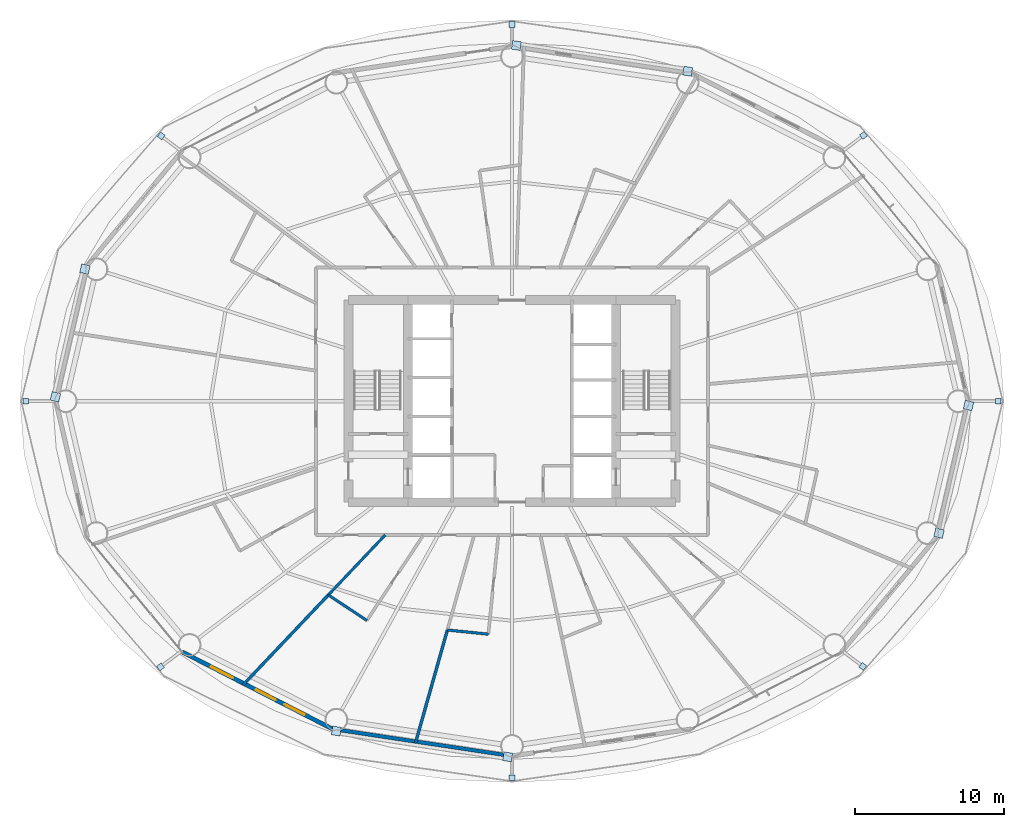
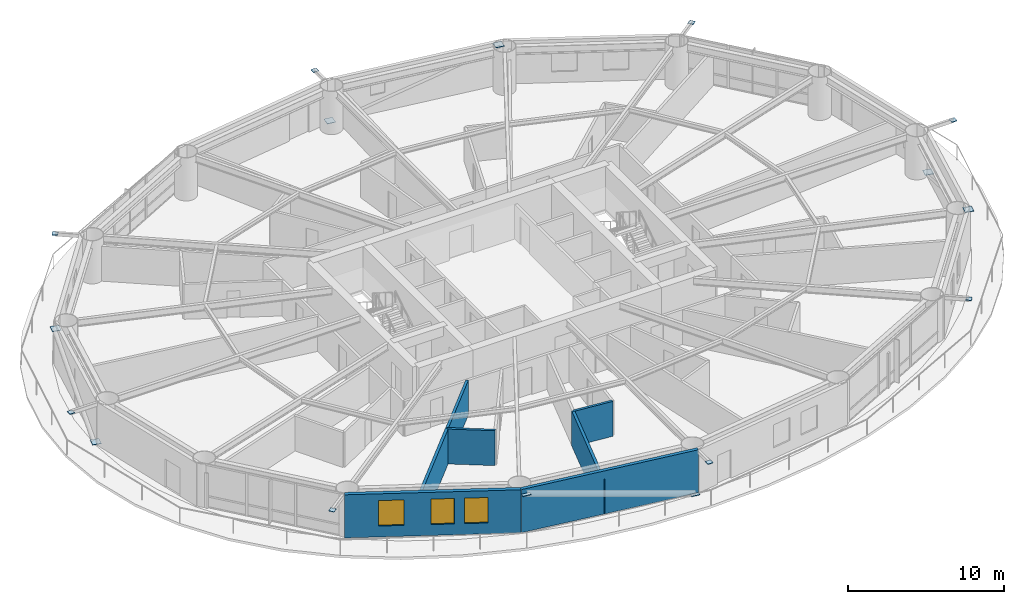
# One storey, part 19 of 26: 16 plates, 7 walls, 3 windows, 3 openings.
"""IFC4 building model written with IfcOpenShell, lengths in metres."""

from ifc_helpers import new_model, si_unit, direction, frame, frame_2d, origin, origin_2d, place, context, subcontext, project, spatial, rectangle, extrude, material, layer, layer_set, type_object, element, fill, save


model = new_model("IFC4")

# Units and contexts
model_context = context("Model", 3, precision=1e-05, world=origin(), true_north=direction((0.0, 1.0)))
body_context = subcontext(model_context, "Body", "Model", "MODEL_VIEW")
ifc_project = project(units=[si_unit("LENGTHUNIT", "METRE"), si_unit("AREAUNIT", "SQUARE_METRE"), si_unit("VOLUMEUNIT", "CUBIC_METRE"), si_unit("PLANEANGLEUNIT", "RADIAN"), si_unit("MASSUNIT", "GRAM", prefix="KILO")], contexts=[model_context])

# Site, building, storey
site_placement = place(None, origin())
site = spatial("IfcSite", under=ifc_project, at=site_placement, CompositionType="ELEMENT")
building_placement = place(site_placement, origin())
building = spatial("IfcBuilding", under=site, at=building_placement, Name="Sarneth Arch Tower", CompositionType="ELEMENT")
storey_placement = place(building_placement, frame((0.0, 0.0, 35.39990234375)))
storey = spatial("IfcBuildingStorey", under=building, at=storey_placement, Name="L07", CompositionType="ELEMENT", Elevation=35.39990234375)

# Plates
ifc_material_1 = material(Name="Steel S355", Category="steel")
ifc_layer_1 = layer(ifc_material_1, 0.035888671875)
ifc_layer_set_1 = layer_set([ifc_layer_1], Name="Steel S355")
plate_type = type_object("IfcPlateType", Name="PLT-GUSSET-30", PredefinedType="SHEET", material=ifc_layer_set_1)
for number, where, z_axis, x_axis, name in (
    (1, (80.7333984375, 42.0, 3.2021484375), (0.0, 0.0, 1.0), (1.0, 0.0, 0.0), "Steel end cap plate GP-1"),
    (2, (71.65380859375, 59.884765625, 3.2021484375), (0.0, 0.0, 1.0), (0.797689196331, 0.603068773902, 0.0), "Steel end cap plate GP-1"),
):
    element("IfcPlate", number, at=place(storey_placement, frame(where, z_axis=z_axis, x_axis=x_axis)), inside=storey, type_object=plate_type, Name=name, PredefinedType="SHEET", context=body_context, shape_type="SweptSolid", body=[
        extrude(rectangle(XDim=0.3798828125, YDim=0.3798828125, at=origin_2d()), origin(), (0.0, 0.0, 1.0), 0.035888671875),
    ])
for number, where, z_axis, x_axis, name in (
    (3, (48.296630859375, 65.935302734375, 0.001953125), (0.0, 0.0, 1.0), (-0.98883454203, 0.149017611339, 0.0), "Steel end cap plate GP-1"),
    (4, (59.819580078125, 64.19921875, 2.98876953125), (0.0, 0.0, 1.0), (-0.98883454203, 0.149017611339, 0.0), "Steel end cap plate GP-1"),
):
    element("IfcPlate", number, at=place(storey_placement, frame(where, z_axis=z_axis, x_axis=x_axis)), inside=storey, type_object=plate_type, Name=name, PredefinedType="SHEET", context=body_context, shape_type="SweptSolid", body=[
        extrude(rectangle(XDim=0.587890625, YDim=0.587890625, at=origin_2d()), origin(), (0.0, 0.0, 1.0), 0.035888671875),
    ])
for number, where, z_axis, x_axis, name in (
    (5, (48.0, 67.3515625, 3.2021484375), (0.0, 0.0, 1.0), (0.0, 1.0, 0.0), "Steel end cap plate GP-1"),
    (6, (24.391845703125, 59.85009765625, 3.2021484375), (0.0, 0.0, 1.0), (-0.797689196331, 0.603068773902, 0.0), "Steel end cap plate GP-1"),
):
    element("IfcPlate", number, at=place(storey_placement, frame(where, z_axis=z_axis, x_axis=x_axis)), inside=storey, type_object=plate_type, Name=name, PredefinedType="SHEET", context=body_context, shape_type="SweptSolid", body=[
        extrude(rectangle(XDim=0.3798828125, YDim=0.3798828125, at=origin_2d()), origin(), (0.0, 0.0, 1.0), 0.035888671875),
    ])
for number, where, z_axis, x_axis, name in (
    (7, (17.274658203125, 42.292236328125, 0.001953125), (0.0, 0.0, 1.0), (-0.225291159947, -0.974291482694, 0.0), "Steel end cap plate GP-1"),
    (8, (19.260986328125, 50.884521484375, 2.98876953125), (0.0, 0.0, 1.0), (-0.225291159947, -0.974291482694, 0.0), "Steel end cap plate GP-1"),
):
    element("IfcPlate", number, at=place(storey_placement, frame(where, z_axis=z_axis, x_axis=x_axis)), inside=storey, type_object=plate_type, Name=name, PredefinedType="SHEET", context=body_context, shape_type="SweptSolid", body=[
        extrude(rectangle(XDim=0.587890625, YDim=0.587890625, at=origin_2d()), origin(), (0.0, 0.0, 1.0), 0.035888671875),
    ])
for number, where, z_axis, x_axis, name in (
    (9, (15.2666015625, 42.0, 3.2021484375), (0.0, 0.0, 1.0), (-1.0, 0.0, 0.0), "Steel end cap plate GP-1"),
    (10, (24.34619140625, 24.115234375, 3.2021484375), (0.0, 0.0, 1.0), (-0.797689196331, -0.603068773902, 0.0), "Steel end cap plate GP-1"),
):
    element("IfcPlate", number, at=place(storey_placement, frame(where, z_axis=z_axis, x_axis=x_axis)), inside=storey, type_object=plate_type, Name=name, PredefinedType="SHEET", context=body_context, shape_type="SweptSolid", body=[
        extrude(rectangle(XDim=0.3798828125, YDim=0.3798828125, at=origin_2d()), origin(), (0.0, 0.0, 1.0), 0.035888671875),
    ])
for number, where, z_axis, x_axis, name in (
    (11, (47.703369140625, 18.064697265625, 0.001953125), (0.0, 0.0, 1.0), (0.98883454203, -0.149017611339, 0.0), "Steel end cap plate GP-1"),
    (12, (36.180419921875, 19.80078125, 2.98876953125), (0.0, 0.0, 1.0), (0.98883454203, -0.149017611339, 0.0), "Steel end cap plate GP-1"),
):
    element("IfcPlate", number, at=place(storey_placement, frame(where, z_axis=z_axis, x_axis=x_axis)), inside=storey, type_object=plate_type, Name=name, PredefinedType="SHEET", context=body_context, shape_type="SweptSolid", body=[
        extrude(rectangle(XDim=0.587890625, YDim=0.587890625, at=origin_2d()), origin(), (0.0, 0.0, 1.0), 0.035888671875),
    ])
for number, where, z_axis, x_axis, name in (
    (13, (48.0, 16.6484375, 3.2021484375), (0.0, 0.0, 1.0), (0.0, -1.0, 0.0), "Steel end cap plate GP-1"),
    (14, (71.608154296875, 24.14990234375, 3.2021484375), (0.0, 0.0, 1.0), (0.797689196331, -0.603068773902, 0.0), "Steel end cap plate GP-1"),
):
    element("IfcPlate", number, at=place(storey_placement, frame(where, z_axis=z_axis, x_axis=x_axis)), inside=storey, type_object=plate_type, Name=name, PredefinedType="SHEET", context=body_context, shape_type="SweptSolid", body=[
        extrude(rectangle(XDim=0.3798828125, YDim=0.3798828125, at=origin_2d()), origin(), (0.0, 0.0, 1.0), 0.035888671875),
    ])
for number, where, z_axis, x_axis, name in (
    (15, (78.725341796875, 41.707763671875, 0.001953125), (0.0, 0.0, 1.0), (0.225291159947, 0.974291482694, 0.0), "Steel end cap plate GP-1"),
    (16, (76.739013671875, 33.115478515625, 2.98876953125), (0.0, 0.0, 1.0), (0.225291159947, 0.974291482694, 0.0), "Steel end cap plate GP-1"),
):
    element("IfcPlate", number, at=place(storey_placement, frame(where, z_axis=z_axis, x_axis=x_axis)), inside=storey, type_object=plate_type, Name=name, PredefinedType="SHEET", context=body_context, shape_type="SweptSolid", body=[
        extrude(rectangle(XDim=0.587890625, YDim=0.587890625, at=origin_2d()), origin(), (0.0, 0.0, 1.0), 0.035888671875),
    ])

# Wall
ifc_material_2 = material(Name="Extruded terracotta rainscreen on Concrete C40/50 backing", Category="masonry")
ifc_layer_2 = layer(ifc_material_2, 0.25)
ifc_layer_set_2 = layer_set([ifc_layer_2], Name="Extruded terracotta rainscreen on Concrete C40/50 backing")
wall_type_1 = type_object("IfcWallType", Name="WALL-EXT-SPAND-250", PredefinedType="SOLIDWALL", material=ifc_layer_set_2)
wall_1_placement = place(storey_placement, frame((35.922119140625, 19.937744140625, 0.0), z_axis=(0.0, 0.0, 1.0), x_axis=(0.988864835849, -0.148816452121, 0.0)))
element("IfcWall", 17, at=wall_1_placement, inside=storey, type_object=wall_type_1, Name="L07 Terracotta perimeter wall 12", PredefinedType="SOLIDWALL", context=body_context, shape_type="SweptSolid", body=[
    extrude(rectangle(XDim=12.2138671875, YDim=0.25, at=frame_2d((6.10693359375, 0.0))), origin(), (0.0, 0.0, 1.0), 3.380126953125),
])

# Wall, openings, windows
ifc_material_3 = material(Name="Extruded terracotta rainscreen on Concrete C40/50 backing", Category="masonry")
ifc_layer_3 = layer(ifc_material_3, 0.280029296875)
ifc_layer_set_3 = layer_set([ifc_layer_3], Name="Extruded terracotta rainscreen on Concrete C40/50 backing")
wall_type_2 = type_object("IfcWallType", Name="WALL-EXT-TERRA-280", PredefinedType="SOLIDWALL", material=ifc_layer_set_3)
wall_2_placement = place(storey_placement, frame((25.825927734375, 25.1142578125, 0.0), z_axis=(0.0, 0.0, 1.0), x_axis=(0.889853976658, -0.456245438581, 0.0)))
wall_2 = element("IfcWall", 18, at=wall_2_placement, inside=storey, type_object=wall_type_2, Name="L07 Terracotta perimeter wall 11", PredefinedType="SOLIDWALL", context=body_context, shape_type="SweptSolid", body=[
    extrude(rectangle(XDim=11.345947265625, YDim=0.280029296875, at=frame_2d((5.6728515625, 0.0))), origin(), (0.0, 0.0, 1.0), 3.380126953125),
])
opening_1_placement = place(wall_2_placement, frame((2.169921875, 0.0, 0.85009765625)))
opening_1 = element("IfcOpeningElement", 19, at=opening_1_placement, cuts=wall_2, Name="Opening W-05", PredefinedType="OPENING", context=body_context, shape_type="SweptSolid", body=[
    extrude(rectangle(XDim=1.64990234375, YDim=2.0, at=frame_2d((0.824951171875, 1.0))), frame((0.0, 0.14990234375, 0.0), z_axis=(0.0, -1.0, 0.0), x_axis=(1.0, 0.0, 0.0)), (0.0, 0.0, 1.0), 0.300048828125),
])
opening_2_placement = place(wall_2_placement, frame((5.552978515625, 0.0, 0.85009765625)))
opening_2 = element("IfcOpeningElement", 20, at=opening_2_placement, cuts=wall_2, Name="Opening W-06", PredefinedType="OPENING", context=body_context, shape_type="SweptSolid", body=[
    extrude(rectangle(XDim=1.5, YDim=2.0, at=frame_2d((0.75, 1.0))), frame((0.0, 0.14990234375, 0.0), z_axis=(0.0, -1.0, 0.0), x_axis=(1.0, 0.0, 0.0)), (0.0, 0.0, 1.0), 0.300048828125),
])
opening_3_placement = place(wall_2_placement, frame((7.7216796875, 0.0, 0.85009765625)))
opening_3 = element("IfcOpeningElement", 21, at=opening_3_placement, cuts=wall_2, Name="Opening W-06", PredefinedType="OPENING", context=body_context, shape_type="SweptSolid", body=[
    extrude(rectangle(XDim=1.5, YDim=2.0, at=frame_2d((0.75, 1.0))), frame((0.0, 0.14990234375, 0.0), z_axis=(0.0, -1.0, 0.0), x_axis=(1.0, 0.0, 0.0)), (0.0, 0.0, 1.0), 0.300048828125),
])
ifc_material_4 = material(Name="Thermally broken Aluminium 6063-T6 and low-e laminated IGU", Category="aluminium")
window_type_1 = type_object("IfcWindowType", Name="WIN-TWR-1500x2000", PartitioningType="SINGLE_PANEL", PredefinedType="WINDOW", material=ifc_material_4)
window_1_placement = place(opening_2_placement, origin())
window_1 = element("IfcWindow", 22, at=window_1_placement, inside=storey, type_object=window_type_1, Name="L07 Exterior window 11B", OverallHeight=2.0, OverallWidth=1.5, PartitioningType="SINGLE_PANEL", PredefinedType="WINDOW", context=body_context, shape_type="SweptSolid", body=[
    extrude(rectangle(XDim=1.5, YDim=2.0, at=frame_2d((0.75, 1.0))), frame((0.0, 0.030029296875, 0.0), z_axis=(0.0, -1.0, 0.0), x_axis=(1.0, 0.0, 0.0)), (0.0, 0.0, 1.0), 0.06005859375),
])
fill(opening_2, window_1)
window_2_placement = place(opening_3_placement, origin())
window_2 = element("IfcWindow", 23, at=window_2_placement, inside=storey, type_object=window_type_1, Name="L07 Exterior window 11C", OverallHeight=2.0, OverallWidth=1.5, PartitioningType="SINGLE_PANEL", PredefinedType="WINDOW", context=body_context, shape_type="SweptSolid", body=[
    extrude(rectangle(XDim=1.5, YDim=2.0, at=frame_2d((0.75, 1.0))), frame((0.0, 0.030029296875, 0.0), z_axis=(0.0, -1.0, 0.0), x_axis=(1.0, 0.0, 0.0)), (0.0, 0.0, 1.0), 0.06005859375),
])
fill(opening_3, window_2)
ifc_material_5 = material(Name="Thermally broken Aluminium 6063-T6 and low-e laminated IGU", Category="aluminium")
window_type_2 = type_object("IfcWindowType", Name="WIN-TWR-1650x2000", PartitioningType="DOUBLE_PANEL_VERTICAL", PredefinedType="WINDOW", material=ifc_material_5)
window_3_placement = place(opening_1_placement, origin())
window_3 = element("IfcWindow", 24, at=window_3_placement, inside=storey, type_object=window_type_2, Name="L07 Exterior window 11A", OverallHeight=2.0, OverallWidth=1.64990234375, PartitioningType="SINGLE_PANEL", PredefinedType="WINDOW", context=body_context, shape_type="SweptSolid", body=[
    extrude(rectangle(XDim=1.64990234375, YDim=2.0, at=frame_2d((0.824951171875, 1.0))), frame((0.0, 0.030029296875, 0.0), z_axis=(0.0, -1.0, 0.0), x_axis=(1.0, 0.0, 0.0)), (0.0, 0.0, 1.0), 0.06005859375),
])
fill(opening_1, window_3)

# Walls
ifc_material_6 = material(Name="Moisture-resistant plumbing chase wall", Category="gypsum")
ifc_layer_4 = layer(ifc_material_6, 0.179931640625)
ifc_layer_set_4 = layer_set([ifc_layer_4], Name="Moisture-resistant plumbing chase wall")
wall_type_3 = type_object("IfcWallType", Name="WALL-PLUMB-180", PredefinedType="PLUMBINGWALL", material=ifc_layer_set_4)
wall_3_placement = place(storey_placement, frame((35.640380859375, 28.958251953125, 0.0), z_axis=(0.0, 0.0, 1.0), x_axis=(0.687867465085, 0.725836311077, 0.0)))
element("IfcWall", 25, at=wall_3_placement, inside=storey, type_object=wall_type_3, Name="L07 Interior partition W-L07-TP-056", PredefinedType="PLUMBINGWALL", context=body_context, shape_type="SweptSolid", body=[
    extrude(rectangle(XDim=5.568359375, YDim=0.179931640625, at=frame_2d((2.7841796875, 0.0))), origin(), (0.0, 0.0, 1.0), 2.739990234375),
])
wall_4_placement = place(storey_placement, frame((38.234619140625, 27.24169921875, 0.0), z_axis=(0.0, 0.0, 1.0), x_axis=(-0.833965136837, 0.551817135055, 0.0)))
element("IfcWall", 26, at=wall_4_placement, inside=storey, type_object=wall_type_3, Name="L07 Interior partition W-L07-TP-058", PredefinedType="PLUMBINGWALL", context=body_context, shape_type="SweptSolid", body=[
    extrude(rectangle(XDim=3.11083984375, YDim=0.179931640625, at=frame_2d((1.555419921875, 0.0))), origin(), (0.0, 0.0, 1.0), 2.739990234375),
])
wall_5_placement = place(storey_placement, frame((46.407470703125, 26.320556640625, 0.0), z_axis=(0.0, 0.0, 1.0), x_axis=(-0.994878004338, 0.101082918857, 0.0)))
element("IfcWall", 27, at=wall_5_placement, inside=storey, type_object=wall_type_3, Name="L07 Interior partition W-L07-TP-062", PredefinedType="PLUMBINGWALL", context=body_context, shape_type="SweptSolid", body=[
    extrude(rectangle(XDim=2.770263671875, YDim=0.179931640625, at=frame_2d((1.38525390625, 0.0))), origin(), (0.0, 0.0, 1.0), 2.739990234375),
])
ifc_material_7 = material(Name="Double steel-stud acoustic drywall", Category="steel")
ifc_layer_5 = layer(ifc_material_7, 0.199951171875)
ifc_layer_set_5 = layer_set([ifc_layer_5], Name="Double steel-stud acoustic drywall")
wall_type_4 = type_object("IfcWallType", Name="WALL-UNIT-200", PredefinedType="PARTITIONING", material=ifc_layer_set_5)
wall_6_placement = place(storey_placement, frame((29.89697265625, 22.897705078125, 0.0), z_axis=(0.0, 0.0, 1.0), x_axis=(0.687860615602, 0.725842802198, 0.0)))
element("IfcWall", 28, at=wall_6_placement, inside=storey, type_object=wall_type_4, Name="L07 Interior partition W-L07-TP-055", PredefinedType="PARTITIONING", context=body_context, shape_type="SweptSolid", body=[
    extrude(rectangle(XDim=8.349609375, YDim=0.199951171875, at=frame_2d((4.1748046875, 0.0))), origin(), (0.0, 0.0, 1.0), 2.739990234375),
])
wall_7_placement = place(storey_placement, frame((41.498779296875, 18.97802734375, 0.0), z_axis=(0.0, 0.0, 1.0), x_axis=(0.271768364569, 0.962362694632, 0.0)))
element("IfcWall", 29, at=wall_7_placement, inside=storey, type_object=wall_type_4, Name="L07 Interior partition W-L07-TP-059", PredefinedType="PARTITIONING", context=body_context, shape_type="SweptSolid", body=[
    extrude(rectangle(XDim=7.920654296875, YDim=0.199951171875, at=frame_2d((3.96044921875, 0.0))), origin(), (0.0, 0.0, 1.0), 2.739990234375),
])

save(model, "model.ifc")
